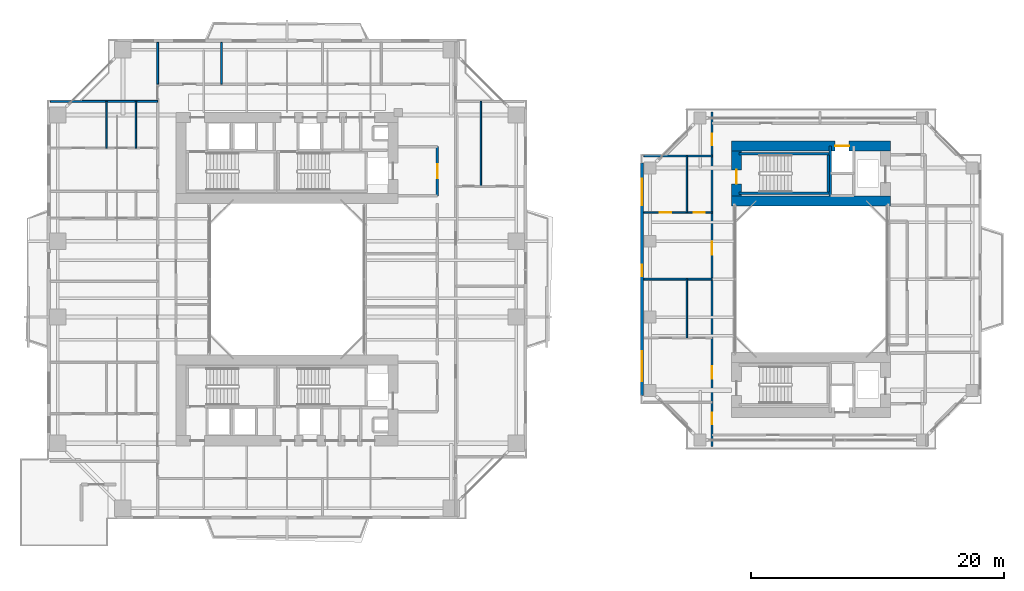
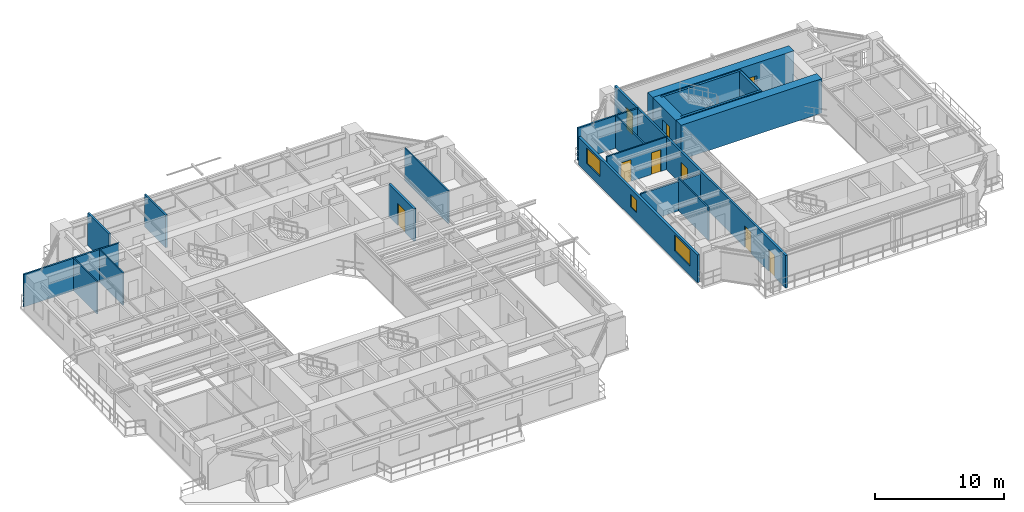
# One storey, part 16 of 24: 21 walls, 9 doors, 3 windows, 12 openings.
"""IFC4 building model written with IfcOpenShell, lengths in metres."""

from ifc_helpers import new_model, si_unit, direction, frame, frame_2d, origin, place, context, subcontext, project, spatial, rectangle, extrude, source, transform, mapped, material, layer, layer_set, type_object, element, fill, save


model = new_model("IFC4")

# Units and contexts
model_context = context("Model", 3, precision=1e-05, world=origin(), true_north=direction((0.0, 1.0)))
body_context = subcontext(model_context, "Body", "Model", "MODEL_VIEW")
ifc_project = project(units=[si_unit("LENGTHUNIT", "METRE"), si_unit("AREAUNIT", "SQUARE_METRE"), si_unit("VOLUMEUNIT", "CUBIC_METRE"), si_unit("PLANEANGLEUNIT", "RADIAN"), si_unit("MASSUNIT", "GRAM", prefix="KILO"), si_unit("THERMODYNAMICTEMPERATUREUNIT", "KELVIN"), si_unit("POWERUNIT", "WATT")], contexts=[model_context])

# Site, building, storey
site_placement = place(None, origin())
site = spatial("IfcSite", under=ifc_project, at=site_placement, CompositionType="ELEMENT")
building_placement = place(site_placement, origin())
building = spatial("IfcBuilding", under=site, at=building_placement, Name="Qiaomeng Ring Towers", CompositionType="ELEMENT")
storey_placement = place(building_placement, frame((0.0, 0.0, 63.25)))
storey = spatial("IfcBuildingStorey", under=building, at=storey_placement, Name="L17", CompositionType="ELEMENT", Elevation=63.25)

# Wall, openings, windows
ifc_material_1 = material(Name="Precast concrete C40", Category="concrete")
ifc_layer_1 = layer(ifc_material_1, 0.219970703125, Name="Precast concrete C40")
ifc_layer_set_1 = layer_set([ifc_layer_1], Name="Precast concrete C40")
wall_type_1 = type_object("IfcWallType", Name="ARC-WL-EW2", PredefinedType="STANDARD", material=ifc_layer_set_1)
wall_1_placement = place(storey_placement, frame((47.110107421875, 13.800048828125, 0.0), z_axis=(0.0, 0.0, 1.0), x_axis=(0.0, 1.0, 0.0)))
wall_1 = element("IfcWall", 1, at=wall_1_placement, inside=storey, type_object=wall_type_1, Name="L17 Companion West Wall", PredefinedType="STANDARD", context=body_context, shape_type="SweptSolid", body=[
    extrude(rectangle(XDim=18.39990234375, YDim=0.219970703125, at=frame_2d((9.199951171875, 0.0))), origin(), (0.0, 0.0, 1.0), 2.610107421875),
])
opening_1_placement = place(wall_1_placement, frame((1.10009765625, 0.0, 0.89990234375)))
opening_1 = element("IfcOpeningElement", 2, at=opening_1_placement, cuts=wall_1, Name="Opening WN6", PredefinedType="OPENING", context=body_context, shape_type="SweptSolid", body=[
    extrude(rectangle(XDim=2.39990234375, YDim=1.47998046875, at=frame_2d((1.199951171875, 0.739990234375))), frame((0.0, 0.119873046875, 0.0), z_axis=(0.0, -1.0, 0.0), x_axis=(1.0, 0.0, 0.0)), (0.0, 0.0, 1.0), 0.239990234375),
])
opening_2_placement = place(wall_1_placement, frame((15.050048828125, 0.0, 0.89990234375)))
opening_2 = element("IfcOpeningElement", 3, at=opening_2_placement, cuts=wall_1, Name="Opening WN4", PredefinedType="OPENING", context=body_context, shape_type="SweptSolid", body=[
    extrude(rectangle(XDim=2.10009765625, YDim=1.47998046875, at=frame_2d((1.050048828125, 0.739990234375))), frame((0.0, 0.119873046875, 0.0), z_axis=(0.0, -1.0, 0.0), x_axis=(1.0, 0.0, 0.0)), (0.0, 0.0, 1.0), 0.239990234375),
])
opening_3_placement = place(wall_1_placement, frame((9.43505859375, 0.0, 0.89990234375)))
opening_3 = element("IfcOpeningElement", 4, at=opening_3_placement, cuts=wall_1, Name="Opening WN5", PredefinedType="OPENING", context=body_context, shape_type="SweptSolid", body=[
    extrude(rectangle(XDim=0.89990234375, YDim=1.199951171875, at=frame_2d((0.449951171875, 0.60009765625))), frame((0.0, 0.119873046875, 0.0), z_axis=(0.0, -1.0, 0.0), x_axis=(1.0, 0.0, 0.0)), (0.0, 0.0, 1.0), 0.239990234375),
])
ifc_material_2 = material(Name="Low-E dark-grey laminated double glazing", Category="glass")
window_type_1 = type_object("IfcWindowType", Name="ARC-WN-4", PartitioningType="TRIPLE_PANEL_VERTICAL", PredefinedType="WINDOW", material=ifc_material_2)
shared_shape_1 = source(origin(), body_context, "Body", "SweptSolid", [
    extrude(rectangle(XDim=2.10009765625, YDim=1.47998046875, at=frame_2d((1.050048828125, 0.739990234375))), frame((0.0, 0.030029296875, 0.0), z_axis=(0.0, -1.0, 0.0), x_axis=(1.0, 0.0, 0.0)), (0.0, 0.0, 1.0), 0.06005859375),
])
window_1_placement = place(opening_2_placement, origin())
window_1 = element("IfcWindow", 5, at=window_1_placement, inside=storey, type_object=window_type_1, Name="L17 Exterior Window WN4", OverallHeight=1.47998046875, OverallWidth=2.10009765625, PartitioningType="TRIPLE_PANEL_VERTICAL", PredefinedType="WINDOW", context=body_context, shape_type="MappedRepresentation", body=[
    mapped(shared_shape_1, transform((0.0, 0.0, 0.0), x_axis=(1.0, 0.0, 0.0), y_axis=(0.0, 1.0, 0.0), z_axis=(0.0, 0.0, 1.0), scale=1.0)),
])
fill(opening_2, window_1)
window_type_2 = type_object("IfcWindowType", Name="ARC-WN-6", PartitioningType="TRIPLE_PANEL_VERTICAL", PredefinedType="WINDOW", material=ifc_material_2)
shared_shape_2 = source(origin(), body_context, "Body", "SweptSolid", [
    extrude(rectangle(XDim=2.39990234375, YDim=1.47998046875, at=frame_2d((1.199951171875, 0.739990234375))), frame((0.0, 0.030029296875, 0.0), z_axis=(0.0, -1.0, 0.0), x_axis=(1.0, 0.0, 0.0)), (0.0, 0.0, 1.0), 0.06005859375),
])
window_2_placement = place(opening_1_placement, origin())
window_2 = element("IfcWindow", 6, at=window_2_placement, inside=storey, type_object=window_type_2, Name="L17 Exterior Window WN6", OverallHeight=1.47998046875, OverallWidth=2.39990234375, PartitioningType="TRIPLE_PANEL_VERTICAL", PredefinedType="WINDOW", context=body_context, shape_type="MappedRepresentation", body=[
    mapped(shared_shape_2, transform((0.0, 0.0, 0.0), x_axis=(1.0, 0.0, 0.0), y_axis=(0.0, 1.0, 0.0), z_axis=(0.0, 0.0, 1.0), scale=1.0)),
])
fill(opening_1, window_2)
window_type_3 = type_object("IfcWindowType", Name="ARC-WN-5", PartitioningType="SINGLE_PANEL", PredefinedType="WINDOW", material=ifc_material_2)
shared_shape_3 = source(origin(), body_context, "Body", "SweptSolid", [
    extrude(rectangle(XDim=0.89990234375, YDim=1.199951171875, at=frame_2d((0.449951171875, 0.60009765625))), frame((0.0, 0.030029296875, 0.0), z_axis=(0.0, -1.0, 0.0), x_axis=(1.0, 0.0, 0.0)), (0.0, 0.0, 1.0), 0.06005859375),
])
window_3_placement = place(opening_3_placement, origin())
window_3 = element("IfcWindow", 7, at=window_3_placement, inside=storey, type_object=window_type_3, Name="L17 Exterior Window WN5", OverallHeight=1.199951171875, OverallWidth=0.89990234375, PartitioningType="SINGLE_PANEL", PredefinedType="WINDOW", context=body_context, shape_type="MappedRepresentation", body=[
    mapped(shared_shape_3, transform((0.0, 0.0, 0.0), x_axis=(1.0, 0.0, 0.0), y_axis=(0.0, 1.0, 0.0), z_axis=(0.0, 0.0, 1.0), scale=1.0)),
])
fill(opening_3, window_3)

# Wall, opening, door
ifc_material_3 = material(Name="Autoclaved aerated concrete block", Category="concrete")
ifc_layer_2 = layer(ifc_material_3, 0.199951171875, Name="Autoclaved aerated concrete block")
ifc_layer_set_2 = layer_set([ifc_layer_2], Name="Autoclaved aerated concrete block")
wall_type_2 = type_object("IfcWallType", Name="ARC-WL-PW1", PredefinedType="PARTITIONING", material=ifc_layer_set_2)
wall_2_placement = place(storey_placement, frame((30.89990234375, 29.60009765625, 0.0), z_axis=(0.0, 0.0, 1.0), x_axis=(0.0, 1.0, 0.0)))
wall_2 = element("IfcWall", 8, at=wall_2_placement, inside=storey, type_object=wall_type_2, Name="L17 Interior Wall PW1", PredefinedType="PARTITIONING", context=body_context, shape_type="SweptSolid", body=[
    extrude(rectangle(XDim=3.89990234375, YDim=0.199951171875, at=frame_2d((1.949951171875, 0.0))), origin(), (0.0, 0.0, 1.0), 3.070068359375),
])
opening_4_placement = place(wall_2_placement, frame((1.39990234375, 0.0, 0.0)))
opening_4 = element("IfcOpeningElement", 9, at=opening_4_placement, cuts=wall_2, Name="Opening FD3", PredefinedType="OPENING", context=body_context, shape_type="SweptSolid", body=[
    extrude(rectangle(XDim=1.10009765625, YDim=2.050048828125, at=frame_2d((0.550048828125, 1.02490234375))), frame((0.0, 0.10986328125, 0.0), z_axis=(0.0, -1.0, 0.0), x_axis=(1.0, 0.0, 0.0)), (0.0, 0.0, 1.0), 0.219970703125),
])
ifc_material_4 = material(Name="Galvanised steel", Category="steel")
door_type_1 = type_object("IfcDoorType", Name="ARC-DR-FD3", OperationType="NOTDEFINED", PredefinedType="DOOR", material=ifc_material_4)
shared_shape_4 = source(origin(), body_context, "Body", "SweptSolid", [
    extrude(rectangle(XDim=1.10009765625, YDim=2.050048828125, at=frame_2d((0.550048828125, 1.02490234375))), frame((0.0, 0.02490234375, 0.0), z_axis=(0.0, -1.0, 0.0), x_axis=(1.0, 0.0, 0.0)), (0.0, 0.0, 1.0), 0.050048828125),
])
door_1_placement = place(opening_4_placement, origin())
door_1 = element("IfcDoor", 10, at=door_1_placement, inside=storey, type_object=door_type_1, Name="L17 North FF Lobby Door", OperationType="SINGLE_SWING_LEFT", OverallHeight=2.050048828125, OverallWidth=1.10009765625, PredefinedType="DOOR", context=body_context, shape_type="MappedRepresentation", body=[
    mapped(shared_shape_4, transform((0.0, 0.0, 0.0), x_axis=(1.0, 0.0, 0.0), y_axis=(0.0, 1.0, 0.0), z_axis=(0.0, 0.0, 1.0), scale=1.0)),
])
fill(opening_4, door_1)

# Wall, openings, doors
ifc_layer_3 = layer(ifc_material_3, 0.179931640625, Name="Autoclaved aerated concrete block")
ifc_layer_set_3 = layer_set([ifc_layer_3], Name="Autoclaved aerated concrete block")
wall_type_3 = type_object("IfcWallType", Name="ARC-WL-PW2", PredefinedType="PARTITIONING", material=ifc_layer_set_3)
wall_3_placement = place(storey_placement, frame((52.64990234375, 9.75, 0.0), z_axis=(0.0, 0.0, 1.0), x_axis=(0.0, 1.0, 0.0)))
wall_3 = element("IfcWall", 11, at=wall_3_placement, inside=storey, type_object=wall_type_3, Name="L17 Interior Wall PW2", PredefinedType="PARTITIONING", context=body_context, shape_type="SweptSolid", body=[
    extrude(rectangle(XDim=26.5, YDim=0.179931640625, at=frame_2d((13.25, 0.0))), origin(), (0.0, 0.0, 1.0), 3.070068359375),
])
opening_5_placement = place(wall_3_placement, frame((23.85009765625, 0.0, 0.0)))
opening_5 = element("IfcOpeningElement", 12, at=opening_5_placement, cuts=wall_3, Name="Opening ID1", PredefinedType="OPENING", context=body_context, shape_type="SweptSolid", body=[
    extrude(rectangle(XDim=0.89990234375, YDim=2.050048828125, at=frame_2d((0.449951171875, 1.02490234375))), frame((0.0, 0.099853515625, 0.0), z_axis=(0.0, -1.0, 0.0), x_axis=(1.0, 0.0, 0.0)), (0.0, 0.0, 1.0), 0.199951171875),
])
opening_6_placement = place(wall_3_placement, frame((1.75, 0.0, 0.0)))
opening_6 = element("IfcOpeningElement", 13, at=opening_6_placement, cuts=wall_3, Name="Opening ID1", PredefinedType="OPENING", context=body_context, shape_type="SweptSolid", body=[
    extrude(rectangle(XDim=0.89990234375, YDim=2.050048828125, at=frame_2d((0.449951171875, 1.02490234375))), frame((0.0, 0.099853515625, 0.0), z_axis=(0.0, -1.0, 0.0), x_axis=(1.0, 0.0, 0.0)), (0.0, 0.0, 1.0), 0.199951171875),
])
opening_7_placement = place(wall_3_placement, frame((5.35498046875, 0.0, 0.0)))
opening_7 = element("IfcOpeningElement", 14, at=opening_7_placement, cuts=wall_3, Name="Opening FD4", PredefinedType="OPENING", context=body_context, shape_type="SweptSolid", body=[
    extrude(rectangle(XDim=1.0, YDim=2.050048828125, at=frame_2d((0.5, 1.02490234375))), frame((0.0, 0.099853515625, 0.0), z_axis=(0.0, -1.0, 0.0), x_axis=(1.0, 0.0, 0.0)), (0.0, 0.0, 1.0), 0.199951171875),
])
opening_8_placement = place(wall_3_placement, frame((15.195068359375, 0.0, 0.0)))
opening_8 = element("IfcOpeningElement", 15, at=opening_8_placement, cuts=wall_3, Name="Opening FD4", PredefinedType="OPENING", context=body_context, shape_type="SweptSolid", body=[
    extrude(rectangle(XDim=1.0, YDim=2.050048828125, at=frame_2d((0.5, 1.02490234375))), frame((0.0, 0.099853515625, 0.0), z_axis=(0.0, -1.0, 0.0), x_axis=(1.0, 0.0, 0.0)), (0.0, 0.0, 1.0), 0.199951171875),
])
ifc_material_5 = material(Name="Engineered fire-rated oak timber", Category="wood")
door_type_2 = type_object("IfcDoorType", Name="ARC-DR-FD4", OperationType="NOTDEFINED", PredefinedType="DOOR", material=ifc_material_5)
shared_shape_5 = source(origin(), body_context, "Body", "SweptSolid", [
    extrude(rectangle(XDim=1.0, YDim=2.050048828125, at=frame_2d((0.5, 1.02490234375))), frame((0.0, 0.02490234375, 0.0), z_axis=(0.0, -1.0, 0.0), x_axis=(1.0, 0.0, 0.0)), (0.0, 0.0, 1.0), 0.050048828125),
])
door_2_placement = place(opening_7_placement, origin())
door_2 = element("IfcDoor", 16, at=door_2_placement, inside=storey, type_object=door_type_2, Name="L17 Door FD4", OperationType="SINGLE_SWING_LEFT", OverallHeight=2.050048828125, OverallWidth=1.0, PredefinedType="DOOR", context=body_context, shape_type="MappedRepresentation", body=[
    mapped(shared_shape_5, transform((0.0, 0.0, 0.0), x_axis=(1.0, 0.0, 0.0), y_axis=(0.0, 1.0, 0.0), z_axis=(0.0, 0.0, 1.0), scale=1.0)),
])
fill(opening_7, door_2)
door_3_placement = place(opening_8_placement, origin())
door_3 = element("IfcDoor", 17, at=door_3_placement, inside=storey, type_object=door_type_2, Name="L17 Door FD4", OperationType="SINGLE_SWING_RIGHT", OverallHeight=2.050048828125, OverallWidth=1.0, PredefinedType="DOOR", context=body_context, shape_type="MappedRepresentation", body=[
    mapped(shared_shape_5, transform((0.0, 0.0, 0.0), x_axis=(1.0, 0.0, 0.0), y_axis=(0.0, 1.0, 0.0), z_axis=(0.0, 0.0, 1.0), scale=1.0)),
])
fill(opening_8, door_3)
ifc_material_6 = material(Name="Engineered oak timber", Category="wood")
door_type_3 = type_object("IfcDoorType", Name="ARC-DR-ID1", OperationType="NOTDEFINED", PredefinedType="DOOR", material=ifc_material_6)
shared_shape_6 = source(origin(), body_context, "Body", "SweptSolid", [
    extrude(rectangle(XDim=0.89990234375, YDim=2.050048828125, at=frame_2d((0.449951171875, 1.02490234375))), frame((0.0, 0.02490234375, 0.0), z_axis=(0.0, -1.0, 0.0), x_axis=(1.0, 0.0, 0.0)), (0.0, 0.0, 1.0), 0.050048828125),
])
door_4_placement = place(opening_5_placement, origin())
door_4 = element("IfcDoor", 18, at=door_4_placement, inside=storey, type_object=door_type_3, Name="L17 Door ID1", OperationType="SINGLE_SWING_LEFT", OverallHeight=2.050048828125, OverallWidth=0.89990234375, PredefinedType="DOOR", context=body_context, shape_type="MappedRepresentation", body=[
    mapped(shared_shape_6, transform((0.0, 0.0, 0.0), x_axis=(1.0, 0.0, 0.0), y_axis=(0.0, 1.0, 0.0), z_axis=(0.0, 0.0, 1.0), scale=1.0)),
])
fill(opening_5, door_4)
door_5_placement = place(opening_6_placement, origin())
door_5 = element("IfcDoor", 19, at=door_5_placement, inside=storey, type_object=door_type_3, Name="L17 Door ID1", OperationType="SINGLE_SWING_RIGHT", OverallHeight=2.050048828125, OverallWidth=0.89990234375, PredefinedType="DOOR", context=body_context, shape_type="MappedRepresentation", body=[
    mapped(shared_shape_6, transform((0.0, 0.0, 0.0), x_axis=(1.0, 0.0, 0.0), y_axis=(0.0, 1.0, 0.0), z_axis=(0.0, 0.0, 1.0), scale=1.0)),
])
fill(opening_6, door_5)

# Walls
ifc_material_7 = material(Name="Gypsum fireboard steel-stud partition", Category="steel")
ifc_layer_4 = layer(ifc_material_7, 0.14990234375, Name="Gypsum fireboard steel-stud partition")
ifc_layer_set_4 = layer_set([ifc_layer_4], Name="Gypsum fireboard steel-stud partition")
wall_type_4 = type_object("IfcWallType", Name="ARC-WL-PW3", PredefinedType="PARTITIONING", material=ifc_layer_set_4)
for number, where, z_axis, x_axis, name in (
    (20, (13.81005859375, 38.43994140625, 0.0), (0.0, 0.0, 1.0), (0.0, 1.0, 0.0), "L17 Interior Wall PW3"),
    (21, (8.75, 38.43994140625, 0.0), (0.0, 0.0, 1.0), (0.0, 1.0, 0.0), "L17 Interior Wall PW3"),
):
    element("IfcWall", number, at=place(storey_placement, frame(where, z_axis=z_axis, x_axis=x_axis)), inside=storey, type_object=wall_type_4, Name=name, PredefinedType="PARTITIONING", context=body_context, shape_type="SweptSolid", body=[
        extrude(rectangle(XDim=3.31005859375, YDim=0.14990234375, at=frame_2d((1.655029296875, 0.0))), origin(), (0.0, 0.0, 1.0), 3.070068359375),
    ])
wall_4_placement = place(storey_placement, frame((0.25, 37.080078125, 0.0), z_axis=(0.0, 0.0, 1.0), x_axis=(1.0, 0.0, 0.0)))
element("IfcWall", 22, at=wall_4_placement, inside=storey, type_object=wall_type_4, Name="L17 Interior Wall PW3", PredefinedType="PARTITIONING", context=body_context, shape_type="SweptSolid", body=[
    extrude(rectangle(XDim=8.5, YDim=0.14990234375, at=frame_2d((4.25, 0.0))), origin(), (0.0, 0.0, 1.0), 3.070068359375),
])
wall_5_placement = place(storey_placement, frame((47.25, 32.75, 0.0), z_axis=(0.0, 0.0, 1.0), x_axis=(1.0, 0.0, 0.0)))
element("IfcWall", 23, at=wall_5_placement, inside=storey, type_object=wall_type_4, Name="L17 Interior Wall PW3", PredefinedType="PARTITIONING", context=body_context, shape_type="SweptSolid", body=[
    extrude(rectangle(XDim=5.39990234375, YDim=0.14990234375, at=frame_2d((2.699951171875, 0.0))), origin(), (0.0, 0.0, 1.0), 3.070068359375),
])
wall_6_placement = place(storey_placement, frame((47.25, 23.0, 0.0), z_axis=(0.0, 0.0, 1.0), x_axis=(1.0, 0.0, 0.0)))
element("IfcWall", 24, at=wall_6_placement, inside=storey, type_object=wall_type_4, Name="L17 Interior Wall PW3", PredefinedType="PARTITIONING", context=body_context, shape_type="SweptSolid", body=[
    extrude(rectangle(XDim=5.39990234375, YDim=0.14990234375, at=frame_2d((2.699951171875, 0.0))), origin(), (0.0, 0.0, 1.0), 2.77099609375),
])
ifc_material_8 = material(Name="Moisture-resistant gypsum steel-stud partition", Category="steel")
ifc_layer_5 = layer(ifc_material_8, 0.1201171875, Name="Moisture-resistant gypsum steel-stud partition")
ifc_layer_set_5 = layer_set([ifc_layer_5], Name="Moisture-resistant gypsum steel-stud partition")
wall_type_5 = type_object("IfcWallType", Name="ARC-WL-PW4", PredefinedType="PLUMBINGWALL", material=ifc_layer_set_5)
for number, where, z_axis, x_axis, name in (
    (25, (4.7099609375, 33.3701171875, 0.0), (0.0, 0.0, 1.0), (0.0, 1.0, 0.0), "L17 Interior Wall PW4"),
    (26, (7.030029296875, 33.3701171875, 0.0), (0.0, 0.0, 1.0), (0.0, 1.0, 0.0), "L17 Interior Wall PW4"),
):
    element("IfcWall", number, at=place(storey_placement, frame(where, z_axis=z_axis, x_axis=x_axis)), inside=storey, type_object=wall_type_5, Name=name, PredefinedType="PLUMBINGWALL", context=body_context, shape_type="SweptSolid", body=[
        extrude(rectangle(XDim=3.7099609375, YDim=0.1201171875, at=frame_2d((1.85498046875, 0.0))), origin(), (0.0, 0.0, 1.0), 3.070068359375),
    ])
wall_7_placement = place(storey_placement, frame((34.35009765625, 30.35009765625, 0.0), z_axis=(0.0, 0.0, 1.0), x_axis=(0.0, 1.0, 0.0)))
element("IfcWall", 27, at=wall_7_placement, inside=storey, type_object=wall_type_5, Name="L17 Interior Wall PW4", PredefinedType="PLUMBINGWALL", context=body_context, shape_type="SweptSolid", body=[
    extrude(rectangle(XDim=6.72998046875, YDim=0.1201171875, at=frame_2d((3.364990234375, 0.0))), origin(), (0.0, 0.0, 1.0), 3.070068359375),
])
wall_8_placement = place(storey_placement, frame((50.64990234375, 18.340087890625, 0.0), z_axis=(0.0, 0.0, 1.0), x_axis=(0.0, 1.0, 0.0)))
element("IfcWall", 28, at=wall_8_placement, inside=storey, type_object=wall_type_5, Name="L17 Interior Wall PW4", PredefinedType="PLUMBINGWALL", context=body_context, shape_type="SweptSolid", body=[
    extrude(rectangle(XDim=4.659912109375, YDim=0.1201171875, at=frame_2d((2.330078125, 0.0))), origin(), (0.0, 0.0, 1.0), 3.070068359375),
])

# Wall, openings, doors
wall_9_placement = place(storey_placement, frame((47.25, 28.27001953125, 0.0), z_axis=(0.0, 0.0, 1.0), x_axis=(1.0, 0.0, 0.0)))
wall_9 = element("IfcWall", 29, at=wall_9_placement, inside=storey, type_object=wall_type_5, Name="L17 Interior Wall PW4", PredefinedType="PLUMBINGWALL", context=body_context, shape_type="SweptSolid", body=[
    extrude(rectangle(XDim=5.39990234375, YDim=0.1201171875, at=frame_2d((2.699951171875, 0.0))), origin(), (0.0, 0.0, 1.0), 3.070068359375),
])
opening_9_placement = place(wall_9_placement, frame((1.260009765625, 0.0, 0.0)))
opening_9 = element("IfcOpeningElement", 30, at=opening_9_placement, cuts=wall_9, Name="Opening ID1", PredefinedType="OPENING", context=body_context, shape_type="SweptSolid", body=[
    extrude(rectangle(XDim=0.89990234375, YDim=2.050048828125, at=frame_2d((0.449951171875, 1.02490234375))), frame((0.0, 0.070068359375, 0.0), z_axis=(0.0, -1.0, 0.0), x_axis=(1.0, 0.0, 0.0)), (0.0, 0.0, 1.0), 0.14013671875),
])
opening_10_placement = place(wall_9_placement, frame((3.965087890625, 0.0, 0.0)))
opening_10 = element("IfcOpeningElement", 31, at=opening_10_placement, cuts=wall_9, Name="Opening ID2", PredefinedType="OPENING", context=body_context, shape_type="SweptSolid", body=[
    extrude(rectangle(XDim=0.85009765625, YDim=2.050048828125, at=frame_2d((0.425048828125, 1.02490234375))), frame((0.0, 0.070068359375, 0.0), z_axis=(0.0, -1.0, 0.0), x_axis=(1.0, 0.0, 0.0)), (0.0, 0.0, 1.0), 0.14013671875),
])
ifc_material_9 = material(Name="Moisture-resistant engineered timber", Category="wood")
door_type_4 = type_object("IfcDoorType", Name="ARC-DR-ID2", OperationType="NOTDEFINED", PredefinedType="DOOR", material=ifc_material_9)
shared_shape_7 = source(origin(), body_context, "Body", "SweptSolid", [
    extrude(rectangle(XDim=0.85009765625, YDim=2.050048828125, at=frame_2d((0.425048828125, 1.02490234375))), frame((0.0, 0.02490234375, 0.0), z_axis=(0.0, -1.0, 0.0), x_axis=(1.0, 0.0, 0.0)), (0.0, 0.0, 1.0), 0.050048828125),
])
door_6_placement = place(opening_10_placement, origin())
door_6 = element("IfcDoor", 32, at=door_6_placement, inside=storey, type_object=door_type_4, Name="L17 Door ID2", OperationType="SINGLE_SWING_RIGHT", OverallHeight=2.050048828125, OverallWidth=0.85009765625, PredefinedType="DOOR", context=body_context, shape_type="MappedRepresentation", body=[
    mapped(shared_shape_7, transform((0.0, 0.0, 0.0), x_axis=(1.0, 0.0, 0.0), y_axis=(0.0, 1.0, 0.0), z_axis=(0.0, 0.0, 1.0), scale=1.0)),
])
fill(opening_10, door_6)
door_7_placement = place(opening_9_placement, origin())
door_7 = element("IfcDoor", 33, at=door_7_placement, inside=storey, type_object=door_type_3, Name="L17 Door ID1", OperationType="SINGLE_SWING_LEFT", OverallHeight=2.050048828125, OverallWidth=0.89990234375, PredefinedType="DOOR", context=body_context, shape_type="MappedRepresentation", body=[
    mapped(shared_shape_6, transform((0.0, 0.0, 0.0), x_axis=(1.0, 0.0, 0.0), y_axis=(0.0, 1.0, 0.0), z_axis=(0.0, 0.0, 1.0), scale=1.0)),
])
fill(opening_9, door_7)

# Walls
wall_10_placement = place(storey_placement, frame((50.64990234375, 28.27001953125, 0.0), z_axis=(0.0, 0.0, 1.0), x_axis=(0.0, 1.0, 0.0)))
element("IfcWall", 34, at=wall_10_placement, inside=storey, type_object=wall_type_5, Name="L17 Interior Wall PW4", PredefinedType="PLUMBINGWALL", context=body_context, shape_type="SweptSolid", body=[
    extrude(rectangle(XDim=4.47998046875, YDim=0.1201171875, at=frame_2d((2.239990234375, 0.0))), origin(), (0.0, 0.0, 1.0), 3.070068359375),
])
ifc_material_10 = material(Name="Concrete C40", Category="concrete")
ifc_layer_6 = layer(ifc_material_10, 0.199951171875, Name="Concrete C40")
ifc_layer_set_6 = layer_set([ifc_layer_6], Name="Concrete C40")
wall_type_6 = type_object("IfcWallType", Name="STR-WL-STSHAFT", PredefinedType="SHEAR", material=ifc_layer_set_6)
wall_11_placement = place(storey_placement, frame((62.02001953125, 29.60009765625, 0.0), z_axis=(0.0, 0.0, 1.0), x_axis=(0.0, 1.0, 0.0)))
element("IfcWall", 35, at=wall_11_placement, inside=storey, type_object=wall_type_6, Name="L17 Companion Lift Shaft West Wall N", PredefinedType="SHEAR", context=body_context, shape_type="SweptSolid", body=[
    extrude(rectangle(XDim=3.949951171875, YDim=0.179931640625, at=frame_2d((1.97509765625, 0.0))), origin(), (0.0, 0.0, 1.0), 3.070068359375),
])
for number, where, z_axis, x_axis, name in (
    (36, (54.800048828125, 29.800048828125, 0.0), (0.0, 0.0, 1.0), (1.0, 0.0, 0.0), "L17 Stair ST5 South Shaft Shear Wall"),
    (37, (54.800048828125, 32.93994140625, 0.0), (0.0, 0.0, 1.0), (1.0, 0.0, 0.0), "L17 Stair ST5 North Shaft Shear Wall"),
):
    element("IfcWall", number, at=place(storey_placement, frame(where, z_axis=z_axis, x_axis=x_axis)), inside=storey, type_object=wall_type_6, Name=name, PredefinedType="SHEAR", context=body_context, shape_type="SweptSolid", body=[
        extrude(rectangle(XDim=7.14990234375, YDim=0.199951171875, at=frame_2d((3.574951171875, 0.0))), origin(), (0.0, 0.0, 1.0), 3.25),
    ])
wall_12_placement = place(storey_placement, frame((61.85009765625, 29.89990234375, 0.0), z_axis=(0.0, 0.0, 1.0), x_axis=(0.0, 1.0, 0.0)))
element("IfcWall", 38, at=wall_12_placement, inside=storey, type_object=wall_type_6, Name="L17 Stair ST5 East Shaft Shear Wall", PredefinedType="SHEAR", context=body_context, shape_type="SweptSolid", body=[
    extrude(rectangle(XDim=2.940185546875, YDim=0.199951171875, at=frame_2d((1.47021484375, 0.0))), origin(), (0.0, 0.0, 1.0), 3.25),
])
ifc_material_11 = material(Name="Concrete C60", Category="concrete")
ifc_layer_7 = layer(ifc_material_11, 0.800048828125, Name="Concrete C60")
ifc_layer_set_7 = layer_set([ifc_layer_7], Name="Concrete C60")
wall_type_7 = type_object("IfcWallType", Name="STR-WL-SW1", PredefinedType="SHEAR", material=ifc_layer_set_7)
wall_13_placement = place(storey_placement, frame((54.199951171875, 29.199951171875, 0.0), z_axis=(0.0, 0.0, 1.0), x_axis=(1.0, 0.0, 0.0)))
element("IfcWall", 39, at=wall_13_placement, inside=storey, type_object=wall_type_7, Name="L17 T2NC south core shear wall", PredefinedType="SHEAR", context=body_context, shape_type="SweptSolid", body=[
    extrude(rectangle(XDim=12.60009765625, YDim=0.800048828125, at=frame_2d((6.300048828125, 0.0))), origin(), (0.0, 0.0, 1.0), 3.25),
])

# Wall, opening, door
wall_14_placement = place(storey_placement, frame((54.199951171875, 33.550048828125, 0.0), z_axis=(0.0, 0.0, 1.0), x_axis=(1.0, 0.0, 0.0)))
wall_14 = element("IfcWall", 40, at=wall_14_placement, inside=storey, type_object=wall_type_7, Name="L17 T2NC north core shear wall", PredefinedType="SHEAR", context=body_context, shape_type="SweptSolid", body=[
    extrude(rectangle(XDim=12.60009765625, YDim=0.800048828125, at=frame_2d((6.300048828125, 0.0))), origin(), (0.0, 0.0, 1.0), 3.25),
])
opening_11_placement = place(wall_14_placement, frame((8.199951171875, 0.0, 0.0)))
opening_11 = element("IfcOpeningElement", 41, at=opening_11_placement, cuts=wall_14, Name="Opening LD1", PredefinedType="OPENING", context=body_context, shape_type="SweptSolid", body=[
    extrude(rectangle(XDim=1.10009765625, YDim=2.050048828125, at=frame_2d((0.550048828125, 1.02490234375))), frame((0.0, 0.409912109375, 0.0), z_axis=(0.0, -1.0, 0.0), x_axis=(1.0, 0.0, 0.0)), (0.0, 0.0, 1.0), 0.820068359375),
])
ifc_material_12 = material(Name="Stainless steel 316", Category="steel")
door_type_5 = type_object("IfcDoorType", Name="ARC-DR-LD1", OperationType="NOTDEFINED", PredefinedType="DOOR", material=ifc_material_12)
door_8_placement = place(opening_11_placement, origin())
door_8 = element("IfcDoor", 42, at=door_8_placement, inside=storey, type_object=door_type_5, Name="L17 Companion Lift LP7 Landing Door", OperationType="SLIDING_TO_LEFT", OverallHeight=2.050048828125, OverallWidth=1.10009765625, PredefinedType="DOOR", context=body_context, shape_type="MappedRepresentation", body=[
    mapped(shared_shape_4, transform((0.0, 0.0, 0.0), x_axis=(1.0, 0.0, 0.0), y_axis=(0.0, 1.0, 0.0), z_axis=(0.0, 0.0, 1.0), scale=1.0)),
])
fill(opening_11, door_8)

wall_15_placement = place(storey_placement, frame((54.60009765625, 29.60009765625, 0.0), z_axis=(0.0, 0.0, 1.0), x_axis=(0.0, 1.0, 0.0)))
wall_15 = element("IfcWall", 43, at=wall_15_placement, inside=storey, type_object=wall_type_7, Name="L17 T2NC west core shear wall", PredefinedType="SHEAR", context=body_context, shape_type="SweptSolid", body=[
    extrude(rectangle(XDim=3.5498046875, YDim=0.800048828125, at=frame_2d((1.77490234375, 0.0))), origin(), (0.0, 0.0, 1.0), 3.25),
])
opening_12_placement = place(wall_15_placement, frame((0.949951171875, 0.0, 0.0)))
opening_12 = element("IfcOpeningElement", 44, at=opening_12_placement, cuts=wall_15, Name="Opening FD3", PredefinedType="OPENING", context=body_context, shape_type="SweptSolid", body=[
    extrude(rectangle(XDim=1.10009765625, YDim=2.050048828125, at=frame_2d((0.550048828125, 1.02490234375))), frame((0.0, 0.409912109375, 0.0), z_axis=(0.0, -1.0, 0.0), x_axis=(1.0, 0.0, 0.0)), (0.0, 0.0, 1.0), 0.820068359375),
])
door_9_placement = place(opening_12_placement, origin())
door_9 = element("IfcDoor", 45, at=door_9_placement, inside=storey, type_object=door_type_1, Name="L17 Stair ST5 Exit Door", OperationType="SINGLE_SWING_RIGHT", OverallHeight=2.050048828125, OverallWidth=1.10009765625, PredefinedType="DOOR", context=body_context, shape_type="MappedRepresentation", body=[
    mapped(shared_shape_4, transform((0.0, 0.0, 0.0), x_axis=(1.0, 0.0, 0.0), y_axis=(0.0, 1.0, 0.0), z_axis=(0.0, 0.0, 1.0), scale=1.0)),
])
fill(opening_12, door_9)

save(model, "model.ifc")
